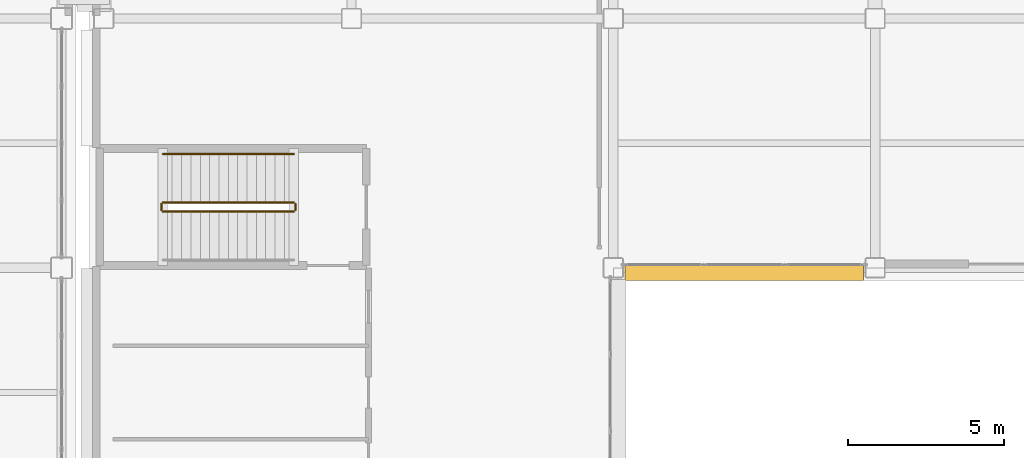
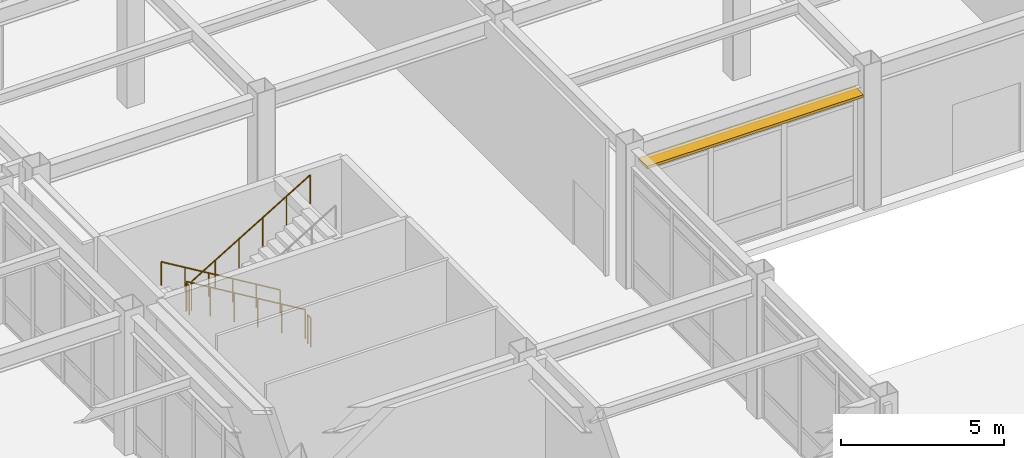
# One storey, part 148 of 165: 5 railings, 1 shading device.
"""IFC4 building model written with IfcOpenShell, lengths in metres."""

from ifc_helpers import new_model, si_unit, direction, frame, origin, origin_2d, place, context, subcontext, project, spatial, rectangle, circle, extrude, material, layer, layer_set, type_object, element, save


model = new_model("IFC4")

# Units and contexts
model_context = context("Model", 3, precision=1e-05, world=origin(), true_north=direction((0.0, 1.0)))
body_context = subcontext(model_context, "Body", "Model", "MODEL_VIEW")
ifc_project = project(units=[si_unit("LENGTHUNIT", "METRE"), si_unit("AREAUNIT", "SQUARE_METRE"), si_unit("VOLUMEUNIT", "CUBIC_METRE"), si_unit("PLANEANGLEUNIT", "RADIAN"), si_unit("MASSUNIT", "GRAM", prefix="KILO")], contexts=[model_context])

# Site, building, storey
site_placement = place(None, origin())
site = spatial("IfcSite", under=ifc_project, at=site_placement, CompositionType="ELEMENT")
building_placement = place(site_placement, origin())
building = spatial("IfcBuilding", under=site, at=building_placement, Name="Kazehara Bluff Congress Hotel", CompositionType="ELEMENT")
storey_placement = place(building_placement, origin())
storey = spatial("IfcBuildingStorey", under=building, at=storey_placement, Name="L00", CompositionType="ELEMENT", Elevation=0.0)

# Railings
ifc_material_1 = material(Name="Brushed stainless steel", Category="steel")
railing_type_1 = type_object("IfcRailingType", Name="TP-GRD-INT", PredefinedType="GUARDRAIL", material=ifc_material_1)
railing_1_placement = place(storey_placement, frame((65.800048828125, 18.10009765625, 0.179931640625)))
element("IfcRailing", 1, at=railing_1_placement, inside=storey, type_object=railing_type_1, Name="L00 ST-08 stair guard 1", PredefinedType="GUARDRAIL", context=body_context, shape_type="SweptSolid", body=[
    extrude(circle(Radius=0.02392578125, at=origin_2d()), frame((0.0, 0.0, 1.076171875), z_axis=(-0.857488527567, 0.0, 0.514503085598), x_axis=(0.0, -1.0, 0.0)), (0.0, 0.0, 1.0), 4.89794921875),
    extrude(circle(Radius=0.02099609375, at=origin_2d()), origin(), (0.0, 0.0, 1.0), 1.052001953125),
    extrude(circle(Radius=0.02099609375, at=origin_2d()), frame((-0.840087890625, 0.0, 0.50390625)), (0.0, 0.0, 1.0), 1.052001953125),
    extrude(circle(Radius=0.02099609375, at=origin_2d()), frame((-1.679931640625, 0.0, 1.008056640625)), (0.0, 0.0, 1.0), 1.052001953125),
    extrude(circle(Radius=0.02099609375, at=origin_2d()), frame((-2.52001953125, 0.0, 1.511962890625)), (0.0, 0.0, 1.0), 1.052001953125),
    extrude(circle(Radius=0.02099609375, at=origin_2d()), frame((-3.35986328125, 0.0, 2.01611328125)), (0.0, 0.0, 1.0), 1.052001953125),
    extrude(circle(Radius=0.02099609375, at=origin_2d()), frame((-4.199951171875, 0.0, 2.52001953125)), (0.0, 0.0, 1.0), 1.052001953125),
])
railing_2_placement = place(storey_placement, frame((61.550048828125, 18.050048828125, 2.699951171875)))
element("IfcRailing", 2, at=railing_2_placement, inside=storey, type_object=railing_type_1, Name="L00 ST-08 stair guard 2", PredefinedType="GUARDRAIL", context=body_context, shape_type="SweptSolid", body=[
    extrude(circle(Radius=0.02392578125, at=origin_2d()), frame((0.0, 0.0, 1.076171875), z_axis=(0.0, -1.0, 0.0), x_axis=(1.0, 0.0, 0.0)), (0.0, 0.0, 1.0), 0.199951171875),
    extrude(circle(Radius=0.02099609375, at=origin_2d()), origin(), (0.0, 0.0, 1.0), 1.052001953125),
    extrude(circle(Radius=0.02099609375, at=origin_2d()), frame((0.0, -0.199951171875, 0.0)), (0.0, 0.0, 1.0), 1.052001953125),
])
railing_3_placement = place(storey_placement, frame((61.60009765625, 17.800048828125, 2.8798828125)))
element("IfcRailing", 3, at=railing_3_placement, inside=storey, type_object=railing_type_1, Name="L00 ST-08 stair guard 3", PredefinedType="GUARDRAIL", context=body_context, shape_type="SweptSolid", body=[
    extrude(circle(Radius=0.02392578125, at=origin_2d()), frame((0.0, 0.0, 1.076171875), z_axis=(0.857488527567, 0.0, 0.514503085598), x_axis=(0.0, 1.0, 0.0)), (0.0, 0.0, 1.0), 4.89794921875),
    extrude(circle(Radius=0.02099609375, at=origin_2d()), origin(), (0.0, 0.0, 1.0), 1.052001953125),
    extrude(circle(Radius=0.02099609375, at=origin_2d()), frame((0.840087890625, 0.0, 0.50390625)), (0.0, 0.0, 1.0), 1.052001953125),
    extrude(circle(Radius=0.02099609375, at=origin_2d()), frame((1.679931640625, 0.0, 1.008056640625)), (0.0, 0.0, 1.0), 1.052001953125),
    extrude(circle(Radius=0.02099609375, at=origin_2d()), frame((2.52001953125, 0.0, 1.511962890625)), (0.0, 0.0, 1.0), 1.052001953125),
    extrude(circle(Radius=0.02099609375, at=origin_2d()), frame((3.35986328125, 0.0, 2.01611328125)), (0.0, 0.0, 1.0), 1.052001953125),
    extrude(circle(Radius=0.02099609375, at=origin_2d()), frame((4.199951171875, 0.0, 2.52001953125)), (0.0, 0.0, 1.0), 1.052001953125),
])
railing_4_placement = place(storey_placement, frame((65.85009765625, 18.050048828125, 0.0)))
element("IfcRailing", 4, at=railing_4_placement, inside=storey, type_object=railing_type_1, Name="L00 ST-08 stair guard 4", PredefinedType="GUARDRAIL", context=body_context, shape_type="SweptSolid", body=[
    extrude(circle(Radius=0.02392578125, at=origin_2d()), frame((0.0, 0.0, 1.076171875), z_axis=(0.0, -1.0, 0.0), x_axis=(1.0, 0.0, 0.0)), (0.0, 0.0, 1.0), 0.199951171875),
    extrude(circle(Radius=0.02099609375, at=origin_2d()), origin(), (0.0, 0.0, 1.0), 1.052001953125),
    extrude(circle(Radius=0.02099609375, at=origin_2d()), frame((0.0, -0.199951171875, 0.0)), (0.0, 0.0, 1.0), 1.052001953125),
])
ifc_material_2 = material(Name="Brushed stainless steel", Category="steel")
railing_type_2 = type_object("IfcRailingType", Name="TP-HR-INT", PredefinedType="HANDRAIL", material=ifc_material_2)
railing_5_placement = place(storey_placement, frame((65.800048828125, 19.64990234375, 0.179931640625)))
element("IfcRailing", 5, at=railing_5_placement, inside=storey, type_object=railing_type_2, Name="L00 ST-08 stair handrail 1", PredefinedType="HANDRAIL", context=body_context, shape_type="SweptSolid", body=[
    extrude(circle(Radius=0.02392578125, at=origin_2d()), frame((0.0, 0.0, 0.8759765625), z_axis=(-0.857488527567, 0.0, 0.514503085598), x_axis=(0.0, -1.0, 0.0)), (0.0, 0.0, 1.0), 4.89794921875),
    extrude(circle(Radius=0.02099609375, at=origin_2d()), origin(), (0.0, 0.0, 1.0), 0.851806640625),
    extrude(circle(Radius=0.02099609375, at=origin_2d()), frame((-0.840087890625, 0.0, 0.50390625)), (0.0, 0.0, 1.0), 0.851806640625),
    extrude(circle(Radius=0.02099609375, at=origin_2d()), frame((-1.679931640625, 0.0, 1.008056640625)), (0.0, 0.0, 1.0), 0.851806640625),
    extrude(circle(Radius=0.02099609375, at=origin_2d()), frame((-2.52001953125, 0.0, 1.511962890625)), (0.0, 0.0, 1.0), 0.851806640625),
    extrude(circle(Radius=0.02099609375, at=origin_2d()), frame((-3.35986328125, 0.0, 2.01611328125)), (0.0, 0.0, 1.0), 0.851806640625),
    extrude(circle(Radius=0.02099609375, at=origin_2d()), frame((-4.199951171875, 0.0, 2.52001953125)), (0.0, 0.0, 1.0), 0.851806640625),
])

# Shading device
ifc_material_3 = material(Name="Anodised aluminium", Category="aluminium")
ifc_layer = layer(ifc_material_3, 0.10009765625)
ifc_layer_set = layer_set([ifc_layer], Name="Anodised aluminium")
shading_device_type = type_object("IfcShadingDeviceType", Name="TP-SHD-SCR", PredefinedType="USERDEFINED", material=ifc_layer_set)
shading_device_placement = place(storey_placement, frame((80.25, 15.860107421875, 4.304931640625), z_axis=(0.0, 0.0, 1.0), x_axis=(1.0, 0.0, 0.0)))
element("IfcShadingDevice", 6, at=shading_device_placement, inside=storey, type_object=shading_device_type, Name="L00 V4 horizontal brise-soleil hood 5", ObjectType="SCREEN", PredefinedType="USERDEFINED", context=body_context, shape_type="SweptSolid", body=[
    extrude(rectangle(XDim=7.64990234375, YDim=0.52001953125, at=origin_2d()), origin(), (0.0, 0.0, 1.0), 0.10009765625),
])

save(model, "model.ifc")
